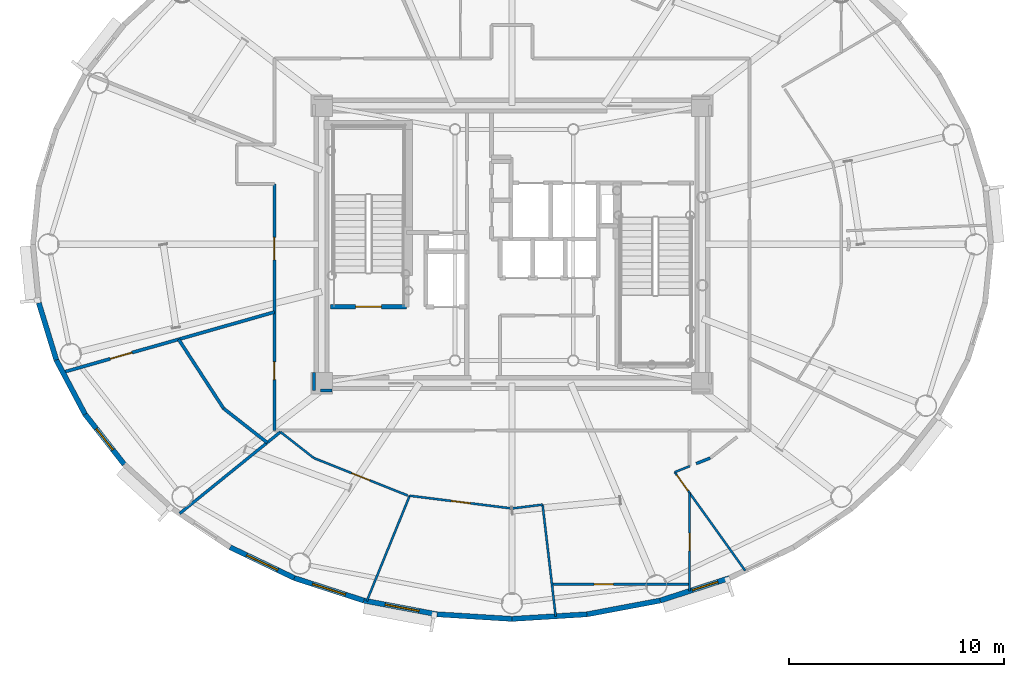
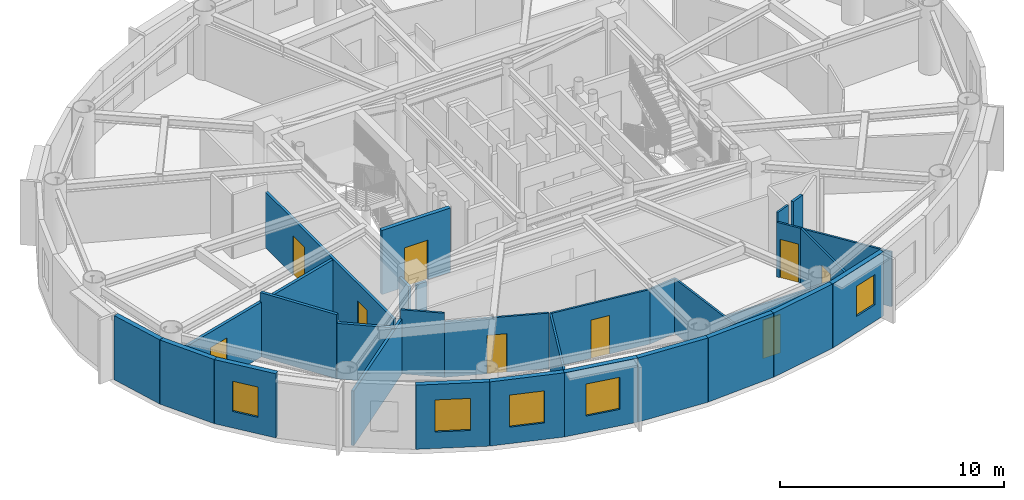
# One storey, part 6 of 16: 29 walls, 9 doors, 5 windows, 14 openings.
"""IFC4 building model written with IfcOpenShell, lengths in metres."""

from ifc_helpers import new_model, si_unit, direction, frame, frame_2d, origin, origin_2d, place, context, subcontext, project, spatial, rectangle, extrude, source, transform, mapped, material, layer, layer_set, type_object, element, fill, save


model = new_model("IFC4")

# Units and contexts
model_context = context("Model", 3, precision=1e-05, world=origin(), true_north=direction((0.0, 1.0)))
body_context = subcontext(model_context, "Body", "Model", "MODEL_VIEW")
ifc_project = project(units=[si_unit("LENGTHUNIT", "METRE"), si_unit("AREAUNIT", "SQUARE_METRE"), si_unit("VOLUMEUNIT", "CUBIC_METRE"), si_unit("PLANEANGLEUNIT", "RADIAN"), si_unit("MASSUNIT", "GRAM", prefix="KILO")], contexts=[model_context])

# Site, building, storey
site_placement = place(None, origin())
site = spatial("IfcSite", under=ifc_project, at=site_placement, CompositionType="ELEMENT")
building_placement = place(site_placement, origin())
building = spatial("IfcBuilding", under=site, at=building_placement, Name="Linh Dai School and Residence Tower", CompositionType="ELEMENT")
storey_placement = place(building_placement, frame((0.0, 0.0, 306.75)))
storey = spatial("IfcBuildingStorey", under=building, at=storey_placement, Name="L76", CompositionType="ELEMENT", Elevation=306.75)

# Walls
ifc_material_1 = material(Name="Precast Concrete B45 (C35/45)", Category="concrete")
ifc_layer_1 = layer(ifc_material_1, 0.239990234375)
ifc_layer_set_1 = layer_set([ifc_layer_1], Name="Precast Concrete B45 (C35/45)")
wall_type_1 = type_object("IfcWallType", Name="EW-TC-240", PredefinedType="SOLIDWALL", material=ifc_layer_set_1)
wall_1_placement = place(storey_placement, frame((14.811767578125, 21.627685546875, 0.0), z_axis=(0.0, 0.0, 1.0), x_axis=(-0.2931213403, 0.956075248012, 0.0)))
element("IfcWall", 1, at=wall_1_placement, inside=storey, type_object=wall_type_1, Name="L76 Terracotta Exterior Wall 22", PredefinedType="SOLIDWALL", context=body_context, shape_type="SweptSolid", body=[
    extrude(rectangle(XDim=2.775146484375, YDim=0.239990234375, at=frame_2d((1.3876953125, 0.0))), origin(), (0.0, 0.0, 1.0), 3.5),
])
wall_2_placement = place(storey_placement, frame((16.146240234375, 19.105224609375, 0.0), z_axis=(0.0, 0.0, 1.0), x_axis=(-0.467628269026, 0.883925224218, 0.0)))
element("IfcWall", 2, at=wall_2_placement, inside=storey, type_object=wall_type_1, Name="L76 Terracotta Exterior Wall 23", PredefinedType="SOLIDWALL", context=body_context, shape_type="SweptSolid", body=[
    extrude(rectangle(XDim=2.853759765625, YDim=0.239990234375, at=frame_2d((1.4267578125, 0.0))), origin(), (0.0, 0.0, 1.0), 3.5),
])

# Wall, opening, window
wall_3_placement = place(storey_placement, frame((17.9697265625, 16.775390625, 0.0), z_axis=(0.0, 0.0, 1.0), x_axis=(-0.616337186556, 0.787482363275, 0.0)))
wall_3 = element("IfcWall", 3, at=wall_3_placement, inside=storey, type_object=wall_type_1, Name="L76 Terracotta Exterior Wall 24", PredefinedType="SOLIDWALL", context=body_context, shape_type="SweptSolid", body=[
    extrude(rectangle(XDim=2.95849609375, YDim=0.239990234375, at=frame_2d((1.479248046875, 0.0))), origin(), (0.0, 0.0, 1.0), 3.5),
])
opening_1_placement = place(wall_3_placement, frame((0.85400390625, 0.0, 0.89990234375)))
opening_1 = element("IfcOpeningElement", 4, at=opening_1_placement, cuts=wall_3, Name="Opening W3", PredefinedType="OPENING", context=body_context, shape_type="SweptSolid", body=[
    extrude(rectangle(XDim=1.25, YDim=1.64990234375, at=origin_2d()), frame((0.625, 0.1298828125, 0.824951171875), z_axis=(0.0, -1.0, 0.0), x_axis=(1.0, 0.0, 0.0)), (0.0, 0.0, 1.0), 0.260009765625),
])
ifc_material_2 = material(Name="Double Low-E Insulated Glazing", Category="glass")
window_type_1 = type_object("IfcWindowType", Name="WN-RES-1250x1650", PartitioningType="SINGLE_PANEL", PredefinedType="WINDOW", material=ifc_material_2)
shared_shape_1 = source(origin(), body_context, "Body", "SweptSolid", [
    extrude(rectangle(XDim=1.25, YDim=1.64990234375, at=origin_2d()), frame((0.625, 0.030029296875, 0.824951171875), z_axis=(0.0, -1.0, 0.0), x_axis=(1.0, 0.0, 0.0)), (0.0, 0.0, 1.0), 0.06005859375),
])
window_1_placement = place(opening_1_placement, origin())
window_1 = element("IfcWindow", 5, at=window_1_placement, inside=storey, type_object=window_type_1, Name="L76 Exterior Window 24.1", OverallHeight=1.64990234375, OverallWidth=1.25, PartitioningType="SINGLE_PANEL", PredefinedType="WINDOW", context=body_context, shape_type="MappedRepresentation", body=[
    mapped(shared_shape_1, transform((0.0, 0.0, 0.0), x_axis=(1.0, 0.0, 0.0), y_axis=(0.0, 1.0, 0.0), z_axis=(0.0, 0.0, 1.0), scale=1.0)),
])
fill(opening_1, window_1)

wall_4_placement = place(storey_placement, frame((25.876953125, 11.48779296875, 0.0), z_axis=(0.0, 0.0, 1.0), x_axis=(-0.901573741254, 0.43262546051, 0.0)))
wall_4 = element("IfcWall", 6, at=wall_4_placement, inside=storey, type_object=wall_type_1, Name="L76 Terracotta Exterior Wall 27", PredefinedType="SOLIDWALL", context=body_context, shape_type="SweptSolid", body=[
    extrude(rectangle(XDim=3.306884765625, YDim=0.239990234375, at=frame_2d((1.6533203125, 0.0))), origin(), (0.0, 0.0, 1.0), 3.5),
])
opening_2_placement = place(wall_4_placement, frame((0.853271484375, 0.0, 0.89990234375)))
opening_2 = element("IfcOpeningElement", 7, at=opening_2_placement, cuts=wall_4, Name="Opening W2", PredefinedType="OPENING", context=body_context, shape_type="SweptSolid", body=[
    extrude(rectangle(XDim=1.60009765625, YDim=1.75, at=origin_2d()), frame((0.800048828125, 0.1298828125, 0.875), z_axis=(0.0, -1.0, 0.0), x_axis=(1.0, 0.0, 0.0)), (0.0, 0.0, 1.0), 0.260009765625),
])
window_type_2 = type_object("IfcWindowType", Name="WN-RES-1600x1750", PartitioningType="DOUBLE_PANEL_VERTICAL", PredefinedType="WINDOW", material=ifc_material_2)
shared_shape_2 = source(origin(), body_context, "Body", "SweptSolid", [
    extrude(rectangle(XDim=1.60009765625, YDim=1.75, at=origin_2d()), frame((0.800048828125, 0.030029296875, 0.875), z_axis=(0.0, -1.0, 0.0), x_axis=(1.0, 0.0, 0.0)), (0.0, 0.0, 1.0), 0.06005859375),
])
window_2_placement = place(opening_2_placement, origin())
window_2 = element("IfcWindow", 8, at=window_2_placement, inside=storey, type_object=window_type_2, Name="L76 Exterior Window 27.1", OverallHeight=1.75, OverallWidth=1.60009765625, PartitioningType="DOUBLE_PANEL_VERTICAL", PredefinedType="WINDOW", context=body_context, shape_type="MappedRepresentation", body=[
    mapped(shared_shape_2, transform((0.0, 0.0, 0.0), x_axis=(1.0, 0.0, 0.0), y_axis=(0.0, 1.0, 0.0), z_axis=(0.0, 0.0, 1.0), scale=1.0)),
])
fill(opening_2, window_2)

wall_5_placement = place(storey_placement, frame((29.10888671875, 10.439697265625, 0.0), z_axis=(0.0, 0.0, 1.0), x_axis=(-0.95123136723, 0.308478339592, 0.0)))
wall_5 = element("IfcWall", 9, at=wall_5_placement, inside=storey, type_object=wall_type_1, Name="L76 Terracotta Exterior Wall 28", PredefinedType="SOLIDWALL", context=body_context, shape_type="SweptSolid", body=[
    extrude(rectangle(XDim=3.397705078125, YDim=0.239990234375, at=frame_2d((1.69873046875, 0.0))), origin(), (0.0, 0.0, 1.0), 3.5),
])
opening_3_placement = place(wall_5_placement, frame((0.898681640625, 0.0, 0.89990234375)))
opening_3 = element("IfcOpeningElement", 10, at=opening_3_placement, cuts=wall_5, Name="Opening W2", PredefinedType="OPENING", context=body_context, shape_type="SweptSolid", body=[
    extrude(rectangle(XDim=1.60009765625, YDim=1.75, at=origin_2d()), frame((0.800048828125, 0.1298828125, 0.875), z_axis=(0.0, -1.0, 0.0), x_axis=(1.0, 0.0, 0.0)), (0.0, 0.0, 1.0), 0.260009765625),
])
window_3_placement = place(opening_3_placement, origin())
window_3 = element("IfcWindow", 11, at=window_3_placement, inside=storey, type_object=window_type_2, Name="L76 Exterior Window 28.1", OverallHeight=1.75, OverallWidth=1.60009765625, PartitioningType="DOUBLE_PANEL_VERTICAL", PredefinedType="WINDOW", context=body_context, shape_type="MappedRepresentation", body=[
    mapped(shared_shape_2, transform((0.0, 0.0, 0.0), x_axis=(1.0, 0.0, 0.0), y_axis=(0.0, 1.0, 0.0), z_axis=(0.0, 0.0, 1.0), scale=1.0)),
])
fill(opening_3, window_3)

wall_6_placement = place(storey_placement, frame((32.51123046875, 9.800048828125, 0.0), z_axis=(0.0, 0.0, 1.0), x_axis=(-0.982782655757, 0.184765395959, 0.0)))
wall_6 = element("IfcWall", 12, at=wall_6_placement, inside=storey, type_object=wall_type_1, Name="L76 Terracotta Exterior Wall 29", PredefinedType="SOLIDWALL", context=body_context, shape_type="SweptSolid", body=[
    extrude(rectangle(XDim=3.4619140625, YDim=0.239990234375, at=frame_2d((1.73095703125, 0.0))), origin(), (0.0, 0.0, 1.0), 3.5),
])
opening_4_placement = place(wall_6_placement, frame((0.851318359375, 0.0, 0.89990234375)))
opening_4 = element("IfcOpeningElement", 13, at=opening_4_placement, cuts=wall_6, Name="Opening W2", PredefinedType="OPENING", context=body_context, shape_type="SweptSolid", body=[
    extrude(rectangle(XDim=1.60009765625, YDim=1.75, at=origin_2d()), frame((0.800048828125, 0.1298828125, 0.875), z_axis=(0.0, -1.0, 0.0), x_axis=(1.0, 0.0, 0.0)), (0.0, 0.0, 1.0), 0.260009765625),
])
window_4_placement = place(opening_4_placement, origin())
window_4 = element("IfcWindow", 14, at=window_4_placement, inside=storey, type_object=window_type_2, Name="L76 Exterior Window 29.1", OverallHeight=1.75, OverallWidth=1.60009765625, PartitioningType="DOUBLE_PANEL_VERTICAL", PredefinedType="WINDOW", context=body_context, shape_type="MappedRepresentation", body=[
    mapped(shared_shape_2, transform((0.0, 0.0, 0.0), x_axis=(1.0, 0.0, 0.0), y_axis=(0.0, 1.0, 0.0), z_axis=(0.0, 0.0, 1.0), scale=1.0)),
])
fill(opening_4, window_4)

# Walls
for number, where, z_axis, x_axis, name in (
    (15, (36.0, 9.5849609375, 0.0), (0.0, 0.0, 1.0), (-0.998104946479, 0.061534671648, 0.0), "L76 Terracotta Exterior Wall 30"),
    (16, (39.48876953125, 9.800048828125, 0.0), (0.0, 0.0, 1.0), (-0.998104946479, -0.061534671648, 0.0), "L76 Terracotta Exterior Wall 31"),
):
    element("IfcWall", number, at=place(storey_placement, frame(where, z_axis=z_axis, x_axis=x_axis)), inside=storey, type_object=wall_type_1, Name=name, PredefinedType="SOLIDWALL", context=body_context, shape_type="SweptSolid", body=[
        extrude(rectangle(XDim=3.495361328125, YDim=0.239990234375, at=frame_2d((1.74755859375, 0.0))), origin(), (0.0, 0.0, 1.0), 3.5),
    ])
wall_7_placement = place(storey_placement, frame((42.89111328125, 10.439697265625, 0.0), z_axis=(0.0, 0.0, 1.0), x_axis=(-0.982782655757, -0.184765395959, 0.0)))
element("IfcWall", 17, at=wall_7_placement, inside=storey, type_object=wall_type_1, Name="L76 Terracotta Exterior Wall 32", PredefinedType="SOLIDWALL", context=body_context, shape_type="SweptSolid", body=[
    extrude(rectangle(XDim=3.4619140625, YDim=0.239990234375, at=frame_2d((1.73095703125, 0.0))), origin(), (0.0, 0.0, 1.0), 3.5),
])

# Wall, opening, window
wall_8_placement = place(storey_placement, frame((46.123046875, 11.48779296875, 0.0), z_axis=(0.0, 0.0, 1.0), x_axis=(-0.95123136723, -0.308478339592, 0.0)))
wall_8 = element("IfcWall", 18, at=wall_8_placement, inside=storey, type_object=wall_type_1, Name="L76 Terracotta Exterior Wall 33", PredefinedType="SOLIDWALL", context=body_context, shape_type="SweptSolid", body=[
    extrude(rectangle(XDim=3.397705078125, YDim=0.239990234375, at=frame_2d((1.69873046875, 0.0))), origin(), (0.0, 0.0, 1.0), 3.5),
])
opening_5_placement = place(wall_8_placement, frame((0.5771484375, 0.0, 0.89990234375)))
opening_5 = element("IfcOpeningElement", 19, at=opening_5_placement, cuts=wall_8, Name="Opening W3", PredefinedType="OPENING", context=body_context, shape_type="SweptSolid", body=[
    extrude(rectangle(XDim=1.25, YDim=1.64990234375, at=origin_2d()), frame((0.625, 0.1298828125, 0.824951171875), z_axis=(0.0, -1.0, 0.0), x_axis=(1.0, 0.0, 0.0)), (0.0, 0.0, 1.0), 0.260009765625),
])
window_5_placement = place(opening_5_placement, origin())
window_5 = element("IfcWindow", 20, at=window_5_placement, inside=storey, type_object=window_type_1, Name="L76 Dwelling Window U7601-LIV", OverallHeight=1.64990234375, OverallWidth=1.25, PartitioningType="SINGLE_PANEL", PredefinedType="WINDOW", context=body_context, shape_type="MappedRepresentation", body=[
    mapped(shared_shape_1, transform((0.0, 0.0, 0.0), x_axis=(1.0, 0.0, 0.0), y_axis=(0.0, 1.0, 0.0), z_axis=(0.0, 0.0, 1.0), scale=1.0)),
])
fill(opening_5, window_5)

# Wall
ifc_material_3 = material(Name="Autoclaved Aerated Concrete Blockwork", Category="masonry")
ifc_layer_2 = layer(ifc_material_3, 0.135009765625)
ifc_layer_set_2 = layer_set([ifc_layer_2], Name="Autoclaved Aerated Concrete Blockwork")
wall_type_2 = type_object("IfcWallType", Name="IW-CORR-135-EI90", PredefinedType="PARTITIONING", material=ifc_layer_set_2)
wall_9_placement = place(storey_placement, frame((20.544677734375, 14.484619140625, 0.0), z_axis=(0.0, 0.0, 1.0), x_axis=(0.77715155867, 0.629313479004, 0.0)))
element("IfcWall", 21, at=wall_9_placement, inside=storey, type_object=wall_type_2, Name="L76 Interior Partition Wall 004", PredefinedType="PARTITIONING", context=body_context, shape_type="SweptSolid", body=[
    extrude(rectangle(XDim=6.032470703125, YDim=0.135009765625, at=frame_2d((3.01611328125, 0.0))), origin(), (0.0, 0.0, 1.0), 2.985107421875),
])

# Wall, openings, doors
wall_10_placement = place(storey_placement, frame((24.949951171875, 18.35009765625, 0.0), z_axis=(0.0, 0.0, 1.0), x_axis=(0.0, 1.0, 0.0)))
wall_10 = element("IfcWall", 22, at=wall_10_placement, inside=storey, type_object=wall_type_2, Name="L76 Interior Partition Wall 009", PredefinedType="PARTITIONING", context=body_context, shape_type="SweptSolid", body=[
    extrude(rectangle(XDim=11.449951171875, YDim=0.135009765625, at=frame_2d((5.72509765625, 0.0))), origin(), (0.0, 0.0, 1.0), 3.034912109375),
])
opening_6_placement = place(wall_10_placement, frame((7.93115234375, 0.0, 0.0)))
opening_6 = element("IfcOpeningElement", 23, at=opening_6_placement, cuts=wall_10, Name="Opening D04", PredefinedType="OPENING", context=body_context, shape_type="SweptSolid", body=[
    extrude(rectangle(XDim=1.050048828125, YDim=2.14990234375, at=origin_2d()), frame((0.52490234375, 0.07763671875, 1.074951171875), z_axis=(0.0, -1.0, 0.0), x_axis=(1.0, 0.0, 0.0)), (0.0, 0.0, 1.0), 0.155029296875),
])
opening_7_placement = place(wall_10_placement, frame((2.361083984375, 0.0, 0.0)))
opening_7 = element("IfcOpeningElement", 24, at=opening_7_placement, cuts=wall_10, Name="Opening D06", PredefinedType="OPENING", context=body_context, shape_type="SweptSolid", body=[
    extrude(rectangle(XDim=0.820068359375, YDim=2.10009765625, at=origin_2d()), frame((0.41015625, 0.07763671875, 1.050048828125), z_axis=(0.0, -1.0, 0.0), x_axis=(1.0, 0.0, 0.0)), (0.0, 0.0, 1.0), 0.155029296875),
])
ifc_material_4 = material(Name="Acoustic Vision-Panel Timber Classroom Door", Category="wood")
door_type_1 = type_object("IfcDoorType", Name="DR-SCH-1050x2150-FD60S", OperationType="NOTDEFINED", PredefinedType="DOOR", material=ifc_material_4)
shared_shape_3 = source(origin(), body_context, "Body", "SweptSolid", [
    extrude(rectangle(XDim=1.050048828125, YDim=2.14990234375, at=origin_2d()), frame((0.52490234375, 0.02490234375, 1.074951171875), z_axis=(0.0, -1.0, 0.0), x_axis=(1.0, 0.0, 0.0)), (0.0, 0.0, 1.0), 0.050048828125),
])
door_1_placement = place(opening_6_placement, origin())
door_1 = element("IfcDoor", 25, at=door_1_placement, inside=storey, type_object=door_type_1, Name="L76 High-Zone Resident Gallery Reading Room Door", OperationType="SINGLE_SWING_LEFT", OverallHeight=2.14990234375, OverallWidth=1.050048828125, PredefinedType="DOOR", context=body_context, shape_type="MappedRepresentation", body=[
    mapped(shared_shape_3, transform((0.0, 0.0, 0.0), x_axis=(1.0, 0.0, 0.0), y_axis=(0.0, 1.0, 0.0), z_axis=(0.0, 0.0, 1.0), scale=1.0)),
])
fill(opening_6, door_1)
ifc_material_5 = material(Name="Moisture-Resistant Timber Bathroom Door", Category="wood")
door_type_2 = type_object("IfcDoorType", Name="DR-WET-820x2100", OperationType="NOTDEFINED", PredefinedType="DOOR", material=ifc_material_5)
shared_shape_4 = source(origin(), body_context, "Body", "SweptSolid", [
    extrude(rectangle(XDim=0.820068359375, YDim=2.10009765625, at=origin_2d()), frame((0.41015625, 0.02490234375, 1.050048828125), z_axis=(0.0, -1.0, 0.0), x_axis=(1.0, 0.0, 0.0)), (0.0, 0.0, 1.0), 0.050048828125),
])
door_2_placement = place(opening_7_placement, origin())
door_2 = element("IfcDoor", 26, at=door_2_placement, inside=storey, type_object=door_type_2, Name="L76 Amenity Accessible WC Door", OperationType="SINGLE_SWING_RIGHT", OverallHeight=2.10009765625, OverallWidth=0.820068359375, PredefinedType="DOOR", context=body_context, shape_type="MappedRepresentation", body=[
    mapped(shared_shape_4, transform((0.0, 0.0, 0.0), x_axis=(1.0, 0.0, 0.0), y_axis=(0.0, 1.0, 0.0), z_axis=(0.0, 0.0, 1.0), scale=1.0)),
])
fill(opening_7, door_2)

# Walls
wall_11_placement = place(storey_placement, frame((26.800048828125, 21.0400390625, 0.0), z_axis=(0.0, 0.0, 1.0), x_axis=(0.0, -1.0, 0.0)))
element("IfcWall", 27, at=wall_11_placement, inside=storey, type_object=wall_type_2, Name="L76 Interior Partition Wall 079", PredefinedType="PARTITIONING", context=body_context, shape_type="SweptSolid", body=[
    extrude(rectangle(XDim=0.840087890625, YDim=0.135009765625, at=frame_2d((0.419921875, 0.0))), origin(), (0.0, 0.0, 1.0), 3.034912109375),
])
wall_12_placement = place(storey_placement, frame((27.107421875, 20.199951171875, 0.0), z_axis=(0.0, 0.0, 1.0), x_axis=(1.0, 0.0, 0.0)))
element("IfcWall", 28, at=wall_12_placement, inside=storey, type_object=wall_type_2, Name="L76 Interior Partition Wall 080", PredefinedType="PARTITIONING", context=body_context, shape_type="SweptSolid", body=[
    extrude(rectangle(XDim=0.532470703125, YDim=0.135009765625, at=frame_2d((0.26611328125, 0.0))), origin(), (0.0, 0.0, 1.0), 3.034912109375),
])
wall_13_placement = place(storey_placement, frame((44.56787109375, 16.80810546875, 0.0), z_axis=(0.0, 0.0, 1.0), x_axis=(0.928813825631, 0.370546727576, 0.0)))
element("IfcWall", 29, at=wall_13_placement, inside=storey, type_object=wall_type_2, Name="L76 Interior Partition Wall 085", PredefinedType="PARTITIONING", context=body_context, shape_type="SweptSolid", body=[
    extrude(rectangle(XDim=0.698486328125, YDim=0.135009765625, at=frame_2d((0.34912109375, 0.0))), origin(), (0.0, 0.0, 1.0), 3.5),
])

# Wall, opening, door
ifc_layer_3 = layer(ifc_material_3, 0.14990234375)
ifc_layer_set_3 = layer_set([ifc_layer_3], Name="Autoclaved Aerated Concrete Blockwork")
wall_type_3 = type_object("IfcWallType", Name="IW-SCH-150-EI60", PredefinedType="PARTITIONING", material=ifc_layer_set_3)
wall_14_placement = place(storey_placement, frame((15.11181640625, 21.0498046875, 0.0), z_axis=(0.0, 0.0, 1.0), x_axis=(0.961740695875, 0.273961373004, 0.0)))
wall_14 = element("IfcWall", 30, at=wall_14_placement, inside=storey, type_object=wall_type_3, Name="L76 Interior Partition Wall 001", PredefinedType="PARTITIONING", context=body_context, shape_type="SweptSolid", body=[
    extrude(rectangle(XDim=10.2294921875, YDim=0.14990234375, at=frame_2d((5.11474609375, 0.0))), origin(), (0.0, 0.0, 1.0), 2.985107421875),
])
opening_8_placement = place(wall_14_placement, frame((2.29541015625, 0.0, 0.0)))
opening_8 = element("IfcOpeningElement", 31, at=opening_8_placement, cuts=wall_14, Name="Opening D04", PredefinedType="OPENING", context=body_context, shape_type="SweptSolid", body=[
    extrude(rectangle(XDim=1.050048828125, YDim=2.14990234375, at=origin_2d()), frame((0.52490234375, 0.0849609375, 1.074951171875), z_axis=(0.0, -1.0, 0.0), x_axis=(1.0, 0.0, 0.0)), (0.0, 0.0, 1.0), 0.169921875),
])
door_3_placement = place(opening_8_placement, origin())
door_3 = element("IfcDoor", 32, at=door_3_placement, inside=storey, type_object=door_type_1, Name="L76 Amenity Tea Salon Door", OperationType="SINGLE_SWING_LEFT", OverallHeight=2.14990234375, OverallWidth=1.050048828125, PredefinedType="DOOR", context=body_context, shape_type="MappedRepresentation", body=[
    mapped(shared_shape_3, transform((0.0, 0.0, 0.0), x_axis=(1.0, 0.0, 0.0), y_axis=(0.0, 1.0, 0.0), z_axis=(0.0, 0.0, 1.0), scale=1.0)),
])
fill(opening_8, door_3)

# Walls
wall_15_placement = place(storey_placement, frame((20.498779296875, 22.584228515625, 0.0), z_axis=(0.0, 0.0, 1.0), x_axis=(0.545422512832, -0.838161250892, 0.0)))
element("IfcWall", 33, at=wall_15_placement, inside=storey, type_object=wall_type_3, Name="L76 Interior Partition Wall 003", PredefinedType="PARTITIONING", context=body_context, shape_type="SweptSolid", body=[
    extrude(rectangle(XDim=3.833740234375, YDim=0.14990234375, at=frame_2d((1.9169921875, 0.0))), origin(), (0.0, 0.0, 1.0), 3.5),
])
wall_16_placement = place(storey_placement, frame((22.58984375, 19.370849609375, 0.0), z_axis=(0.0, 0.0, 1.0), x_axis=(0.78729093539, -0.616581692116, 0.0)))
element("IfcWall", 34, at=wall_16_placement, inside=storey, type_object=wall_type_3, Name="L76 Interior Partition Wall 005", PredefinedType="PARTITIONING", context=body_context, shape_type="SweptSolid", body=[
    extrude(rectangle(XDim=2.57568359375, YDim=0.14990234375, at=frame_2d((1.287841796875, 0.0))), origin(), (0.0, 0.0, 1.0), 3.034912109375),
])

# Wall, opening, door
ifc_material_6 = material(Name="Concrete B45 (C35/45)", Category="concrete")
ifc_layer_4 = layer(ifc_material_6, 0.199951171875)
ifc_layer_set_4 = layer_set([ifc_layer_4], Name="Concrete B45 (C35/45)")
wall_type_4 = type_object("IfcWallType", Name="IW-SHAFT-200-EI120", PredefinedType="PARTITIONING", material=ifc_layer_set_4)
wall_17_placement = place(storey_placement, frame((27.56005859375, 24.10009765625, 0.0), z_axis=(0.0, 0.0, 1.0), x_axis=(1.0, 0.0, 0.0)))
wall_17 = element("IfcWall", 35, at=wall_17_placement, inside=storey, type_object=wall_type_4, Name="L76 Interior Partition Wall 015", PredefinedType="PARTITIONING", context=body_context, shape_type="SweptSolid", body=[
    extrude(rectangle(XDim=3.5400390625, YDim=0.199951171875, at=frame_2d((1.77001953125, 0.0))), origin(), (0.0, 0.0, 1.0), 3.5),
])
opening_9_placement = place(wall_17_placement, frame((1.169921875, 0.0, 0.0)))
opening_9 = element("IfcOpeningElement", 36, at=opening_9_placement, cuts=wall_17, Name="Opening D01", PredefinedType="OPENING", context=body_context, shape_type="SweptSolid", body=[
    extrude(rectangle(XDim=1.199951171875, YDim=2.14990234375, at=origin_2d()), frame((0.60009765625, 0.10986328125, 1.074951171875), z_axis=(0.0, -1.0, 0.0), x_axis=(1.0, 0.0, 0.0)), (0.0, 0.0, 1.0), 0.219970703125),
])
ifc_material_7 = material(Name="Fire-Rated Steel Door Leaf", Category="steel")
door_type_3 = type_object("IfcDoorType", Name="DR-STAIR-1200x2150-FD90S", OperationType="NOTDEFINED", PredefinedType="DOOR", material=ifc_material_7)
shared_shape_5 = source(origin(), body_context, "Body", "SweptSolid", [
    extrude(rectangle(XDim=1.199951171875, YDim=2.14990234375, at=origin_2d()), frame((0.60009765625, 0.02490234375, 1.074951171875), z_axis=(0.0, -1.0, 0.0), x_axis=(1.0, 0.0, 0.0)), (0.0, 0.0, 1.0), 0.050048828125),
])
door_4_placement = place(opening_9_placement, origin())
door_4 = element("IfcDoor", 37, at=door_4_placement, inside=storey, type_object=door_type_3, Name="L76 Core Smokeproof Exit Stair ST1 Door", OperationType="SINGLE_SWING_RIGHT", OverallHeight=2.14990234375, OverallWidth=1.199951171875, PredefinedType="DOOR", context=body_context, shape_type="MappedRepresentation", body=[
    mapped(shared_shape_5, transform((0.0, 0.0, 0.0), x_axis=(1.0, 0.0, 0.0), y_axis=(0.0, 1.0, 0.0), z_axis=(0.0, 0.0, 1.0), scale=1.0)),
])
fill(opening_9, door_4)

# Wall
ifc_material_8 = material(Name="Gypsum Plasterboard Acoustic Stud Partition", Category="masonry")
ifc_layer_5 = layer(ifc_material_8, 0.10009765625)
ifc_layer_set_5 = layer_set([ifc_layer_5], Name="Gypsum Plasterboard Acoustic Stud Partition")
wall_type_5 = type_object("IfcWallType", Name="IW-UNIT-100", PredefinedType="PARTITIONING", material=ifc_layer_set_5)
wall_18_placement = place(storey_placement, frame((25.23291015625, 18.281005859375, 0.0), z_axis=(0.0, 0.0, 1.0), x_axis=(0.787345395334, -0.61651214785, 0.0)))
element("IfcWall", 38, at=wall_18_placement, inside=storey, type_object=wall_type_5, Name="L76 Interior Partition Wall 013", PredefinedType="PARTITIONING", context=body_context, shape_type="SweptSolid", body=[
    extrude(rectangle(XDim=1.96923828125, YDim=0.10009765625, at=frame_2d((0.984619140625, 0.0))), origin(), (0.0, 0.0, 1.0), 3.5),
])

# Wall, opening, door
wall_19_placement = place(storey_placement, frame((26.783447265625, 17.06689453125, 0.0), z_axis=(0.0, 0.0, 1.0), x_axis=(0.928809047774, -0.370558703544, 0.0)))
wall_19 = element("IfcWall", 39, at=wall_19_placement, inside=storey, type_object=wall_type_5, Name="L76 Interior Partition Wall 014", PredefinedType="PARTITIONING", context=body_context, shape_type="SweptSolid", body=[
    extrude(rectangle(XDim=4.7060546875, YDim=0.10009765625, at=frame_2d((2.35302734375, 0.0))), origin(), (0.0, 0.0, 1.0), 3.034912109375),
])
opening_10_placement = place(wall_19_placement, frame((1.903076171875, 0.0, 0.0)))
opening_10 = element("IfcOpeningElement", 40, at=opening_10_placement, cuts=wall_19, Name="Opening D05", PredefinedType="OPENING", context=body_context, shape_type="SweptSolid", body=[
    extrude(rectangle(XDim=0.89990234375, YDim=2.10009765625, at=origin_2d()), frame((0.449951171875, 0.06005859375, 1.050048828125), z_axis=(0.0, -1.0, 0.0), x_axis=(1.0, 0.0, 0.0)), (0.0, 0.0, 1.0), 0.1201171875),
])
ifc_material_9 = material(Name="Engineered Timber Internal Door", Category="wood")
door_type_4 = type_object("IfcDoorType", Name="DR-INT-900x2100", OperationType="NOTDEFINED", PredefinedType="DOOR", material=ifc_material_9)
shared_shape_6 = source(origin(), body_context, "Body", "SweptSolid", [
    extrude(rectangle(XDim=0.89990234375, YDim=2.10009765625, at=origin_2d()), frame((0.449951171875, 0.02490234375, 1.050048828125), z_axis=(0.0, -1.0, 0.0), x_axis=(1.0, 0.0, 0.0)), (0.0, 0.0, 1.0), 0.050048828125),
])
door_5_placement = place(opening_10_placement, origin())
door_5 = element("IfcDoor", 41, at=door_5_placement, inside=storey, type_object=door_type_4, Name="L76 Apartment U7601 Principal Bedroom 1 Door", OperationType="SINGLE_SWING_LEFT", OverallHeight=2.10009765625, OverallWidth=0.89990234375, PredefinedType="DOOR", context=body_context, shape_type="MappedRepresentation", body=[
    mapped(shared_shape_6, transform((0.0, 0.0, 0.0), x_axis=(1.0, 0.0, 0.0), y_axis=(0.0, 1.0, 0.0), z_axis=(0.0, 0.0, 1.0), scale=1.0)),
])
fill(opening_10, door_5)

# Wall
wall_20_placement = place(storey_placement, frame((29.246337890625, 10.40869140625, 0.0), z_axis=(0.0, 0.0, 1.0), x_axis=(0.377005355791, 0.926211078375, 0.0)))
element("IfcWall", 42, at=wall_20_placement, inside=storey, type_object=wall_type_5, Name="L76 Interior Partition Wall 017", PredefinedType="PARTITIONING", context=body_context, shape_type="SweptSolid", body=[
    extrude(rectangle(XDim=5.2939453125, YDim=0.10009765625, at=frame_2d((2.64697265625, 0.0))), origin(), (0.0, 0.0, 1.0), 2.985107421875),
])

# Wall, opening, door
wall_21_placement = place(storey_placement, frame((31.2421875, 15.31201171875, 0.0), z_axis=(0.0, 0.0, 1.0), x_axis=(0.992396501967, -0.123082016895, 0.0)))
wall_21 = element("IfcWall", 43, at=wall_21_placement, inside=storey, type_object=wall_type_5, Name="L76 Interior Partition Wall 022", PredefinedType="PARTITIONING", context=body_context, shape_type="SweptSolid", body=[
    extrude(rectangle(XDim=4.794189453125, YDim=0.10009765625, at=frame_2d((2.39697265625, 0.0))), origin(), (0.0, 0.0, 1.0), 2.985107421875),
])
opening_11_placement = place(wall_21_placement, frame((1.947021484375, 0.0, 0.0)))
opening_11 = element("IfcOpeningElement", 44, at=opening_11_placement, cuts=wall_21, Name="Opening D05", PredefinedType="OPENING", context=body_context, shape_type="SweptSolid", body=[
    extrude(rectangle(XDim=0.89990234375, YDim=2.10009765625, at=origin_2d()), frame((0.449951171875, 0.06005859375, 1.050048828125), z_axis=(0.0, -1.0, 0.0), x_axis=(1.0, 0.0, 0.0)), (0.0, 0.0, 1.0), 0.1201171875),
])
door_6_placement = place(opening_11_placement, origin())
door_6 = element("IfcDoor", 45, at=door_6_placement, inside=storey, type_object=door_type_4, Name="L76 Apartment U7601 Principal Bedroom 2 Door", OperationType="SINGLE_SWING_RIGHT", OverallHeight=2.10009765625, OverallWidth=0.89990234375, PredefinedType="DOOR", context=body_context, shape_type="MappedRepresentation", body=[
    mapped(shared_shape_6, transform((0.0, 0.0, 0.0), x_axis=(1.0, 0.0, 0.0), y_axis=(0.0, 1.0, 0.0), z_axis=(0.0, 0.0, 1.0), scale=1.0)),
])
fill(opening_11, door_6)

# Walls
wall_22_placement = place(storey_placement, frame((36.0, 14.721923828125, 0.0), z_axis=(0.0, 0.0, 1.0), x_axis=(0.992382380787, 0.123195820967, 0.0)))
element("IfcWall", 46, at=wall_22_placement, inside=storey, type_object=wall_type_5, Name="L76 Interior Partition Wall 043", PredefinedType="PARTITIONING", context=body_context, shape_type="SweptSolid", body=[
    extrude(rectangle(XDim=1.432861328125, YDim=0.10009765625, at=frame_2d((0.71630859375, 0.0))), origin(), (0.0, 0.0, 1.0), 2.985107421875),
])
wall_23_placement = place(storey_placement, frame((37.421875, 14.8984375, 0.0), z_axis=(0.0, 0.0, 1.0), x_axis=(0.116676001677, -0.993170031079, 0.0)))
element("IfcWall", 47, at=wall_23_placement, inside=storey, type_object=wall_type_5, Name="L76 Interior Partition Wall 049", PredefinedType="PARTITIONING", context=body_context, shape_type="SweptSolid", body=[
    extrude(rectangle(XDim=5.22900390625, YDim=0.10009765625, at=frame_2d((2.614501953125, 0.0))), origin(), (0.0, 0.0, 1.0), 2.985107421875),
])

# Wall, opening, door
wall_24_placement = place(storey_placement, frame((37.856689453125, 11.19677734375, 0.0), z_axis=(0.0, 0.0, 1.0), x_axis=(1.0, 0.0, 0.0)))
wall_24 = element("IfcWall", 48, at=wall_24_placement, inside=storey, type_object=wall_type_5, Name="L76 Interior Partition Wall 051", PredefinedType="PARTITIONING", context=body_context, shape_type="SweptSolid", body=[
    extrude(rectangle(XDim=6.40380859375, YDim=0.10009765625, at=frame_2d((3.201904296875, 0.0))), origin(), (0.0, 0.0, 1.0), 2.985107421875),
])
opening_12_placement = place(wall_24_placement, frame((1.96240234375, 0.0, 0.0)))
opening_12 = element("IfcOpeningElement", 49, at=opening_12_placement, cuts=wall_24, Name="Opening D05", PredefinedType="OPENING", context=body_context, shape_type="SweptSolid", body=[
    extrude(rectangle(XDim=0.89990234375, YDim=2.10009765625, at=origin_2d()), frame((0.449951171875, 0.06005859375, 1.050048828125), z_axis=(0.0, -1.0, 0.0), x_axis=(1.0, 0.0, 0.0)), (0.0, 0.0, 1.0), 0.1201171875),
])
door_7_placement = place(opening_12_placement, origin())
door_7 = element("IfcDoor", 50, at=door_7_placement, inside=storey, type_object=door_type_4, Name="L76 Apartment U7601 Kitchen Door", OperationType="SINGLE_SWING_LEFT", OverallHeight=2.10009765625, OverallWidth=0.89990234375, PredefinedType="DOOR", context=body_context, shape_type="MappedRepresentation", body=[
    mapped(shared_shape_6, transform((0.0, 0.0, 0.0), x_axis=(1.0, 0.0, 0.0), y_axis=(0.0, 1.0, 0.0), z_axis=(0.0, 0.0, 1.0), scale=1.0)),
])
fill(opening_12, door_7)

# Wall
wall_25_placement = place(storey_placement, frame((43.568359375, 16.409423828125, 0.0), z_axis=(0.0, 0.0, 1.0), x_axis=(0.928815226083, 0.370543217178, 0.0)))
element("IfcWall", 51, at=wall_25_placement, inside=storey, type_object=wall_type_5, Name="L76 Interior Partition Wall 060", PredefinedType="PARTITIONING", context=body_context, shape_type="SweptSolid", body=[
    extrude(rectangle(XDim=0.7451171875, YDim=0.10009765625, at=frame_2d((0.37255859375, 0.0))), origin(), (0.0, 0.0, 1.0), 3.5),
])

# Wall, opening, door
wall_26_placement = place(storey_placement, frame((43.568359375, 16.409423828125, 0.0), z_axis=(0.0, 0.0, 1.0), x_axis=(0.581447306737, -0.81358406418, 0.0)))
wall_26 = element("IfcWall", 52, at=wall_26_placement, inside=storey, type_object=wall_type_5, Name="L76 Interior Partition Wall 061", PredefinedType="PARTITIONING", context=body_context, shape_type="SweptSolid", body=[
    extrude(rectangle(XDim=5.6318359375, YDim=0.10009765625, at=frame_2d((2.81591796875, 0.0))), origin(), (0.0, 0.0, 1.0), 2.985107421875),
])
opening_13_placement = place(wall_26_placement, frame((0.1650390625, 0.0, 0.0)))
opening_13 = element("IfcOpeningElement", 53, at=opening_13_placement, cuts=wall_26, Name="Opening D05", PredefinedType="OPENING", context=body_context, shape_type="SweptSolid", body=[
    extrude(rectangle(XDim=0.89990234375, YDim=2.10009765625, at=origin_2d()), frame((0.449951171875, 0.06005859375, 1.050048828125), z_axis=(0.0, -1.0, 0.0), x_axis=(1.0, 0.0, 0.0)), (0.0, 0.0, 1.0), 0.1201171875),
])
door_8_placement = place(opening_13_placement, origin())
door_8 = element("IfcDoor", 54, at=door_8_placement, inside=storey, type_object=door_type_4, Name="L76 Apartment U7601 Principal Bedroom 3 Door", OperationType="SINGLE_SWING_LEFT", OverallHeight=2.10009765625, OverallWidth=0.89990234375, PredefinedType="DOOR", context=body_context, shape_type="MappedRepresentation", body=[
    mapped(shared_shape_6, transform((0.0, 0.0, 0.0), x_axis=(1.0, 0.0, 0.0), y_axis=(0.0, 1.0, 0.0), z_axis=(0.0, 0.0, 1.0), scale=1.0)),
])
fill(opening_13, door_8)

wall_27_placement = place(storey_placement, frame((44.260498046875, 10.87841796875, 0.0), z_axis=(0.0, 0.0, 1.0), x_axis=(0.0, 1.0, 0.0)))
wall_27 = element("IfcWall", 55, at=wall_27_placement, inside=storey, type_object=wall_type_5, Name="L76 Interior Partition Wall 062", PredefinedType="PARTITIONING", context=body_context, shape_type="SweptSolid", body=[
    extrude(rectangle(XDim=4.562744140625, YDim=0.10009765625, at=frame_2d((2.28125, 0.0))), origin(), (0.0, 0.0, 1.0), 2.985107421875),
])
opening_14_placement = place(wall_27_placement, frame((1.871337890625, 0.0, 0.0)))
opening_14 = element("IfcOpeningElement", 56, at=opening_14_placement, cuts=wall_27, Name="Opening D06", PredefinedType="OPENING", context=body_context, shape_type="SweptSolid", body=[
    extrude(rectangle(XDim=0.820068359375, YDim=2.10009765625, at=origin_2d()), frame((0.41015625, 0.06005859375, 1.050048828125), z_axis=(0.0, -1.0, 0.0), x_axis=(1.0, 0.0, 0.0)), (0.0, 0.0, 1.0), 0.1201171875),
])
door_9_placement = place(opening_14_placement, origin())
door_9 = element("IfcDoor", 57, at=door_9_placement, inside=storey, type_object=door_type_2, Name="L76 Apartment U7601 Bathroom 1 Door", OperationType="SINGLE_SWING_RIGHT", OverallHeight=2.10009765625, OverallWidth=0.820068359375, PredefinedType="DOOR", context=body_context, shape_type="MappedRepresentation", body=[
    mapped(shared_shape_4, transform((0.0, 0.0, 0.0), x_axis=(1.0, 0.0, 0.0), y_axis=(0.0, 1.0, 0.0), z_axis=(0.0, 0.0, 1.0), scale=1.0)),
])
fill(opening_14, door_9)

save(model, "model.ifc")
